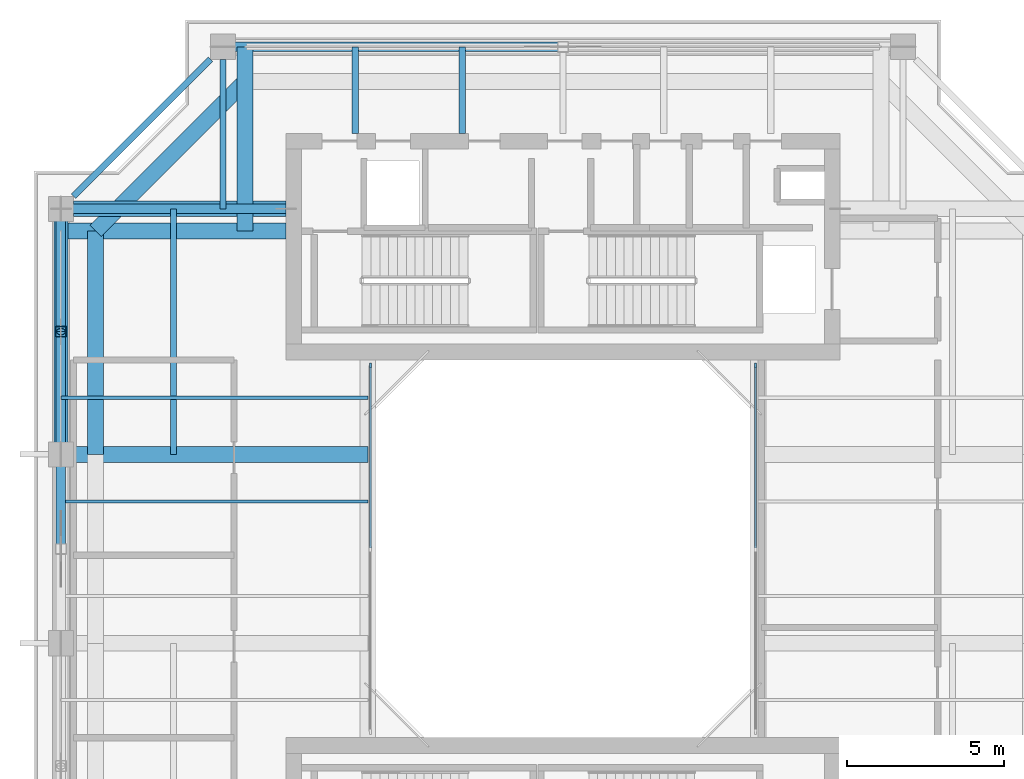
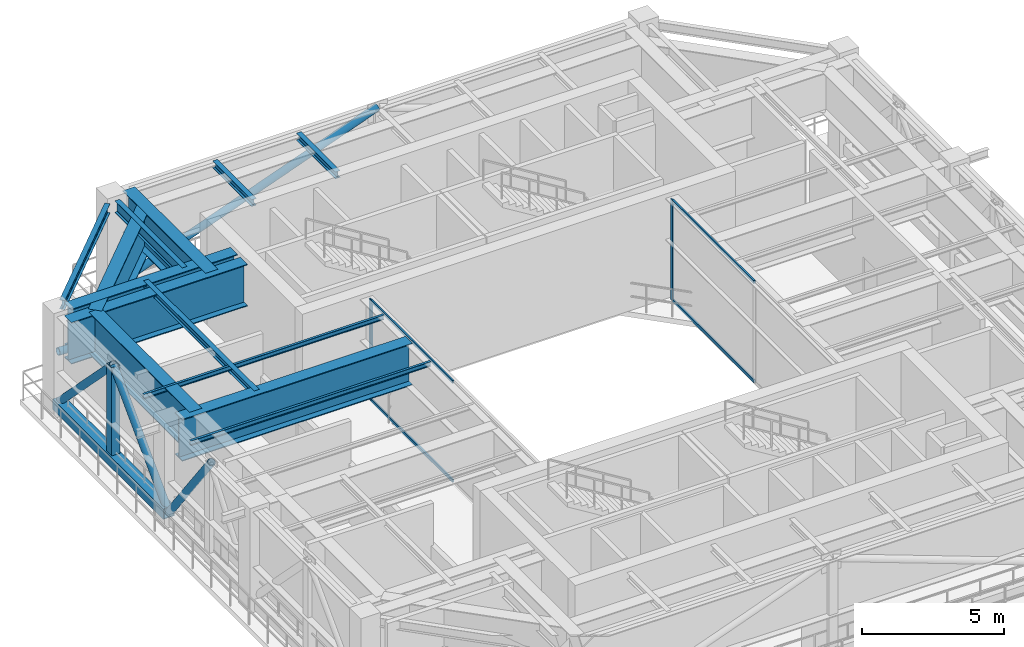
# One storey, part 3 of 10: 13 beams, 13 members, 2 elements without a shape of their own.
"""IFC4 building model written with IfcOpenShell, lengths in metres."""

import ifcopenshell
import ifcopenshell.guid

model = None  # the IFC model being written
_history = None  # IfcOwnerHistory: only IFC2X3 demands one
_inside = {}  # id of a spatial element -> (the spatial element, [elements in it])
_under = {}  # id of a project, library or spatial element -> (it, [spatial elements below it])
_declared = {}  # id of a project -> (the project, [libraries it declares])
_typed = {}  # id of a type object -> (the type object, [elements of that type])
_made_of = {}  # id of a material, layer set ... -> (it, [elements and type objects made of it])


def new_model(schema):
    """Start an empty IFC model of exactly this schema.

    Asked for "IFC4X3", IfcOpenShell would pick the latest addendum, in which some entities
    have other attributes; the version numbers below select the first issue.
    IFC2X3 requires an IfcOwnerHistory on every rooted entity: one is made here for all.
    """
    global model, _history
    if schema == "IFC4X3":
        model = ifcopenshell.file(schema_version=(4, 3, 0, 0))
    else:
        model = ifcopenshell.file(schema=schema)
    _inside.clear()
    _under.clear()
    _declared.clear()
    _typed.clear()
    _made_of.clear()
    _history = None
    if model.schema == "IFC2X3":
        org = make("IfcOrganization", Name="unknown")
        user = make(
            "IfcPersonAndOrganization",
            ThePerson=make("IfcPerson", FamilyName="unknown"),
            TheOrganization=org,
        )
        app = make(
            "IfcApplication",
            ApplicationDeveloper=org,
            Version="unknown",
            ApplicationFullName="unknown",
            ApplicationIdentifier="unknown",
        )
        _history = make(
            "IfcOwnerHistory",
            OwningUser=user,
            OwningApplication=app,
            ChangeAction="ADDED",
            CreationDate=0,
        )
    return model


def make(cls, **values):
    """One entity of the class cls with the attributes given. An attribute that is None is left unset."""
    return model.create_entity(
        cls, **{name: value for name, value in values.items() if value is not None}
    )


def rooted(cls, **values):
    """An entity with a GlobalId (a new one), such as an element, a storey or a relation."""
    return make(cls, GlobalId=ifcopenshell.guid.new(), OwnerHistory=_history, **values)


def si_unit(unit_type, name, prefix=None):
    """IfcSIUnit, for example si_unit("LENGTHUNIT", "METRE", prefix="MILLI")."""
    return make("IfcSIUnit", UnitType=unit_type, Prefix=prefix, Name=name)


def assignment(units):
    """IfcUnitAssignment: the units of a project."""
    return None if units is None else make("IfcUnitAssignment", Units=units)


def point(xyz):
    """IfcCartesianPoint."""
    return None if xyz is None else make("IfcCartesianPoint", Coordinates=xyz)


def direction(xyz):
    """IfcDirection."""
    return None if xyz is None else make("IfcDirection", DirectionRatios=xyz)


def frame(location, z_axis=None, x_axis=None):
    """IfcAxis2Placement3D, a coordinate frame: its origin and axes. An axis left out is left unset."""
    return make(
        "IfcAxis2Placement3D",
        Location=point(location),
        Axis=direction(z_axis),
        RefDirection=direction(x_axis),
    )


def frame_2d(location, x_axis=None):
    """IfcAxis2Placement2D, a coordinate frame in the plane: its origin and x axis."""
    return make(
        "IfcAxis2Placement2D", Location=point(location), RefDirection=direction(x_axis)
    )


def origin():
    """The frame at (0, 0, 0) with its axes left unset."""
    return frame((0.0, 0.0, 0.0))


def origin_2d():
    """The frame at (0, 0) in the plane with its x axis left unset."""
    return frame_2d((0.0, 0.0))


def place(relative_to, where):
    """IfcLocalPlacement: puts the frame where relative to a parent placement (None: the world)."""
    return make(
        "IfcLocalPlacement", PlacementRelTo=relative_to, RelativePlacement=where
    )


def context(
    kind, dimensions, precision=None, world=None, true_north=None, identifier=None
):
    """IfcGeometricRepresentationContext, for example the 3D "Model" context."""
    return make(
        "IfcGeometricRepresentationContext",
        ContextIdentifier=identifier,
        ContextType=kind,
        CoordinateSpaceDimension=dimensions,
        Precision=precision,
        WorldCoordinateSystem=world,
        TrueNorth=true_north,
    )


def subcontext(parent, identifier, kind, view, scale=None):
    """IfcGeometricRepresentationSubContext, for example "Body" below "Model"."""
    return make(
        "IfcGeometricRepresentationSubContext",
        ContextIdentifier=identifier,
        ContextType=kind,
        ParentContext=parent,
        TargetScale=scale,
        TargetView=view,
    )


def project(units=None, contexts=None):
    """IfcProject with its units and contexts."""
    return rooted(
        "IfcProject",
        Name="project",
        RepresentationContexts=contexts,
        UnitsInContext=assignment(units),
    )


def spatial(cls, under=None, at=None, **own):
    """A site, building, storey or space (cls), placed at a placement, below another one or the project."""
    s = rooted(cls, ObjectPlacement=at, **own)
    if under is not None:
        _under.setdefault(under.id(), (under, []))[1].append(s)
    return s


def profile(cls, at=None, kind="AREA", **sizes):
    """A parametric profile (cls). Its sizes go by their IFC names, for example OverallWidth=200.0."""
    return make(cls, ProfileType=kind, Position=at, **sizes)


def rectangle(**sizes):
    """IfcRectangleProfileDef."""
    return profile("IfcRectangleProfileDef", **sizes)


def hollow_rectangle(**sizes):
    """IfcRectangleHollowProfileDef."""
    return profile("IfcRectangleHollowProfileDef", **sizes)


def hollow_circle(**sizes):
    """IfcCircleHollowProfileDef."""
    return profile("IfcCircleHollowProfileDef", **sizes)


def i_section(**sizes):
    """IfcIShapeProfileDef."""
    return profile("IfcIShapeProfileDef", **sizes)


def extrude(swept, where, along, depth):
    """IfcExtrudedAreaSolid: the profile swept, set in the frame where, extruded along a direction by depth."""
    return make(
        "IfcExtrudedAreaSolid",
        SweptArea=swept,
        Position=where,
        ExtrudedDirection=direction(along),
        Depth=depth,
    )


def shape(context_of_items, identifier, shape_type, items):
    """IfcShapeRepresentation: the items that make up one representation, for example the "Body"."""
    return make(
        "IfcShapeRepresentation",
        ContextOfItems=context_of_items,
        RepresentationIdentifier=identifier,
        RepresentationType=shape_type,
        Items=items,
    )


def source(mapping_origin, context_of_items, identifier, shape_type, items):
    """IfcRepresentationMap: a shape defined once, which mapped items show again and again."""
    return make(
        "IfcRepresentationMap",
        MappingOrigin=mapping_origin,
        MappedRepresentation=shape(context_of_items, identifier, shape_type, items),
    )


def transform(
    local_origin,
    x_axis=None,
    y_axis=None,
    z_axis=None,
    scale=None,
    scale2=None,
    scale3=None,
    uniform=True,
):
    """IfcCartesianTransformationOperator3D, or its non-uniform kind. x_axis, y_axis, z_axis: its Axis1, 2, 3."""
    if uniform:
        return make(
            "IfcCartesianTransformationOperator3D",
            Axis1=direction(x_axis),
            Axis2=direction(y_axis),
            LocalOrigin=point(local_origin),
            Scale=scale,
            Axis3=direction(z_axis),
        )
    return make(
        "IfcCartesianTransformationOperator3DnonUniform",
        Axis1=direction(x_axis),
        Axis2=direction(y_axis),
        LocalOrigin=point(local_origin),
        Scale=scale,
        Axis3=direction(z_axis),
        Scale2=scale2,
        Scale3=scale3,
    )


def mapped(mapping_source, mapping_target):
    """IfcMappedItem: shows the shape of a source again, moved by a transform."""
    return make(
        "IfcMappedItem", MappingSource=mapping_source, MappingTarget=mapping_target
    )


def material(Name=None, Category=None):
    """IfcMaterial."""
    return make("IfcMaterial", Name=Name, Category=Category)


def layer(
    of_material, thickness, ventilated=None, Name=None, Category=None, Priority=None
):
    """IfcMaterialLayer: one layer of a wall or slab, of a material (None: an air gap)."""
    return make(
        "IfcMaterialLayer",
        Material=of_material,
        LayerThickness=thickness,
        IsVentilated=ventilated,
        Name=Name,
        Category=Category,
        Priority=Priority,
    )


def layer_set(layers, Name=None):
    """IfcMaterialLayerSet."""
    return make("IfcMaterialLayerSet", MaterialLayers=layers, LayerSetName=Name)


def material_profile(
    of_material, cross_section, Name=None, Category=None, Priority=None
):
    """IfcMaterialProfile: a cross section and its material."""
    return make(
        "IfcMaterialProfile",
        Name=Name,
        Material=of_material,
        Profile=cross_section,
        Priority=Priority,
        Category=Category,
    )


def profile_set(profiles, Name=None, composite=None):
    """IfcMaterialProfileSet."""
    return make(
        "IfcMaterialProfileSet",
        Name=Name,
        MaterialProfiles=profiles,
        CompositeProfile=composite,
    )


def made_of(thing, what):
    """Note that an element or type object is made of a material, layer set ...; save() writes the relation."""
    if what is not None:
        _made_of.setdefault(what.id(), (what, []))[1].append(thing)
    return thing


def type_object(cls, material=None, **own):
    """A type object (cls), such as IfcWallType, which elements share."""
    return made_of(rooted(cls, **own), material)


def element(
    cls,
    number,
    at=None,
    inside=None,
    cuts=None,
    type_object=None,
    material=None,
    context=None,
    identifier="Body",
    shape_type=None,
    held_by="IfcProductDefinitionShape",
    body=None,
    shapes=None,
    **own,
):
    """One element of the class cls, such as IfcWall. Its Tag is "e" and its number.

    at: its placement. inside: the storey or other place that contains it. cuts: it is an
    opening in that element (IfcRelVoidsElement). A single representation is given by context,
    identifier, shape_type and body (its items); several are given by shapes. held_by: the class
    of the entity that holds the representations. save() writes the other relations.
    """
    e = rooted(cls, Tag="e%d" % number, ObjectPlacement=at, **own)
    if body is not None:
        shapes = [shape(context, identifier, shape_type, body)]
    if shapes is not None:
        e.Representation = make(held_by, Representations=shapes)
    if inside is not None:
        _inside.setdefault(inside.id(), (inside, []))[1].append(e)
    if cuts is not None:
        rooted(
            "IfcRelVoidsElement", RelatingBuildingElement=cuts, RelatedOpeningElement=e
        )
    if type_object is not None:
        _typed.setdefault(type_object.id(), (type_object, []))[1].append(e)
    return made_of(e, material)


def aggregate(whole, parts):
    """IfcRelAggregates: a whole, such as a stair, and the parts it consists of."""
    return rooted("IfcRelAggregates", RelatingObject=whole, RelatedObjects=parts)


def save(model, path):
    """Write the relations noted so far, then the file.

    IfcRelAggregates (storeys below a building ...), IfcRelContainedInSpatialStructure (elements
    in a storey), IfcRelDefinesByType, IfcRelAssociatesMaterial and IfcRelDeclares: one each for
    every whole, place, type object, material and project.
    """
    for whole, parts in _under.values():
        aggregate(whole, parts)
    for where, things in _inside.values():
        rooted(
            "IfcRelContainedInSpatialStructure",
            RelatedElements=things,
            RelatingStructure=where,
        )
    for kind, things in _typed.values():
        rooted("IfcRelDefinesByType", RelatedObjects=things, RelatingType=kind)
    for what, things in _made_of.values():
        rooted("IfcRelAssociatesMaterial", RelatedObjects=things, RelatingMaterial=what)
    for by, libraries in _declared.values():
        rooted("IfcRelDeclares", RelatingContext=by, RelatedDefinitions=libraries)
    model.write(path)


model = new_model("IFC4")

# Units and contexts
model_context = context("Model", 3, precision=1e-05, world=origin(), true_north=direction((0.0, 1.0)))
body_context = subcontext(model_context, "Body", "Model", "MODEL_VIEW")
ifc_project = project(units=[si_unit("LENGTHUNIT", "METRE"), si_unit("AREAUNIT", "SQUARE_METRE"), si_unit("VOLUMEUNIT", "CUBIC_METRE"), si_unit("PLANEANGLEUNIT", "RADIAN"), si_unit("MASSUNIT", "GRAM", prefix="KILO"), si_unit("THERMODYNAMICTEMPERATUREUNIT", "KELVIN"), si_unit("POWERUNIT", "WATT")], contexts=[model_context])

# Site, building, storey
site_placement = place(None, origin())
site = spatial("IfcSite", under=ifc_project, at=site_placement, CompositionType="ELEMENT")
building_placement = place(site_placement, origin())
building = spatial("IfcBuilding", under=site, at=building_placement, Name="Qiaomeng Ring Towers", CompositionType="ELEMENT")
storey_placement = place(building_placement, frame((0.0, 0.0, 232.75)))
storey = spatial("IfcBuildingStorey", under=building, at=storey_placement, Name="L68", CompositionType="ELEMENT", Elevation=232.75)

# Member
ifc_material_1 = material(Name="Steel Q390GJC", Category="steel")
ifc_material_profile_1 = material_profile(ifc_material_1, hollow_rectangle(XDim=0.35009765625, YDim=0.35009765625, WallThickness=0.02001953125, at=origin_2d()), Name="SHS 350x350x20")
ifc_profile_set_1 = profile_set([ifc_material_profile_1], Name="Steel Q390GJC")
member_type_1 = type_object("IfcMemberType", Name="STR-MB-POST-350", PredefinedType="POST", material=ifc_profile_set_1)
shared_shape_1 = source(origin(), body_context, "Body", "SweptSolid", [
    extrude(hollow_rectangle(XDim=0.35009765625, YDim=0.35009765625, WallThickness=0.02001953125, at=origin_2d()), origin(), (0.0, 0.0, 1.0), 4.0),
])
member_1_placement = place(storey_placement, frame((3.050048828125, 29.89990234375, 0.320068359375), z_axis=(0.0, 0.0, 1.0), x_axis=(1.0, 0.0, 0.0)))
element("IfcMember", 1, at=member_1_placement, inside=storey, type_object=member_type_1, Name="L68 Belt Truss Post W4-W3", PredefinedType="POST", context=body_context, shape_type="MappedRepresentation", body=[
    mapped(shared_shape_1, transform((0.0, 0.0, 0.0), x_axis=(1.0, 0.0, 0.0), y_axis=(0.0, 1.0, 0.0), z_axis=(0.0, 0.0, 1.0), scale=1.0)),
])

# Beams
ifc_material_2 = material(Name="Steel Q355B", Category="steel")
ifc_material_profile_2 = material_profile(ifc_material_2, i_section(OverallWidth=0.198974609375, OverallDepth=0.39599609375, WebThickness=0.007080078125, FlangeThickness=0.010986328125, FilletRadius=0.01611328125, at=origin_2d()), Name="HN 396x199x7x11")
ifc_profile_set_2 = profile_set([ifc_material_profile_2], Name="Steel Q355B")
beam_type_1 = type_object("IfcBeamType", Name="STR-BM-HN396", PredefinedType="SPANDREL", material=ifc_profile_set_2)
shared_shape_2 = source(origin(), body_context, "Body", "SweptSolid", [
    extrude(i_section(OverallWidth=0.198974609375, OverallDepth=0.39599609375, WebThickness=0.007080078125, FlangeThickness=0.010986328125, FilletRadius=0.01611328125, at=origin_2d()), origin(), (0.0, 0.0, 1.0), 6.154052734375),
])
beam_1_placement = place(storey_placement, frame((7.80078125, 38.55078125, 4.1220703125), z_axis=(-0.707106781187, -0.707106781187, 0.0), x_axis=(0.707106781187, -0.707106781187, 0.0)))
element("IfcBeam", 2, at=beam_1_placement, inside=storey, type_object=beam_type_1, Name="L68 beam STR-SP-L68-T1-N1-W4", PredefinedType="SPANDREL", context=body_context, shape_type="MappedRepresentation", body=[
    mapped(shared_shape_2, transform((0.0, 0.0, 0.0), x_axis=(1.0, 0.0, 0.0), y_axis=(0.0, 1.0, 0.0), z_axis=(0.0, 0.0, 1.0), scale=1.0)),
])
ifc_material_profile_3 = material_profile(ifc_material_2, i_section(OverallWidth=0.199951171875, OverallDepth=0.2939453125, WebThickness=0.008056640625, FlangeThickness=0.011962890625, FilletRadius=0.01806640625, at=origin_2d()), Name="HM 294x200x8x12")
ifc_profile_set_3 = profile_set([ifc_material_profile_3], Name="Steel Q355B")
beam_type_2 = type_object("IfcBeamType", Name="STR-BM-HM294", PredefinedType="JOIST", material=ifc_profile_set_3)
shared_shape_3 = source(origin(), body_context, "Body", "SweptSolid", [
    extrude(i_section(OverallWidth=0.199951171875, OverallDepth=0.2939453125, WebThickness=0.008056640625, FlangeThickness=0.011962890625, FilletRadius=0.01806640625, at=origin_2d()), origin(), (0.0, 0.0, 1.0), 2.75),
])
for number, where, z_axis, x_axis, name in (
    (3, (12.39990234375, 36.199951171875, 4.173095703125), (0.0, 1.0, 0.0), (-1.0, 0.0, 0.0), "L68 beam STR-JST-L68-T1N-1"),
    (4, (15.800048828125, 36.199951171875, 4.173095703125), (0.0, 1.0, 0.0), (-1.0, 0.0, 0.0), "L68 beam STR-JST-L68-T1N-2"),
):
    element("IfcBeam", number, at=place(storey_placement, frame(where, z_axis=z_axis, x_axis=x_axis)), inside=storey, type_object=beam_type_2, Name=name, PredefinedType="JOIST", context=body_context, shape_type="MappedRepresentation", body=[
        mapped(shared_shape_3, transform((0.0, 0.0, 0.0), x_axis=(1.0, 0.0, 0.0), y_axis=(0.0, 1.0, 0.0), z_axis=(0.0, 0.0, 1.0), scale=1.0)),
    ])
ifc_material_profile_4 = material_profile(ifc_material_2, i_section(OverallWidth=0.10009765625, OverallDepth=0.199951171875, WebThickness=0.005615234375, FlangeThickness=0.008056640625, FilletRadius=0.010986328125, at=origin_2d()), Name="HN 200x100x5.5x8")
ifc_profile_set_4 = profile_set([ifc_material_profile_4], Name="Steel Q355B")
beam_type_3 = type_object("IfcBeamType", Name="STR-BM-HN200", PredefinedType="JOIST", material=ifc_profile_set_4)
shared_shape_4 = source(origin(), body_context, "Body", "SweptSolid", [
    extrude(i_section(OverallWidth=0.10009765625, OverallDepth=0.199951171875, WebThickness=0.005615234375, FlangeThickness=0.008056640625, FilletRadius=0.010986328125, at=origin_2d()), origin(), (0.0, 0.0, 1.0), 9.75),
])
for number, where, z_axis, x_axis, name in (
    (5, (3.050048828125, 24.5, 4.219970703125), (1.0, 0.0, 0.0), (0.0, 1.0, 0.0), "L68 beam STR-JST-L68-T1W-3"),
    (6, (3.050048828125, 27.800048828125, 4.219970703125), (1.0, 0.0, 0.0), (0.0, 1.0, 0.0), "L68 beam STR-JST-L68-T1W-4"),
):
    element("IfcBeam", number, at=place(storey_placement, frame(where, z_axis=z_axis, x_axis=x_axis)), inside=storey, type_object=beam_type_3, Name=name, PredefinedType="JOIST", context=body_context, shape_type="MappedRepresentation", body=[
        mapped(shared_shape_4, transform((0.0, 0.0, 0.0), x_axis=(1.0, 0.0, 0.0), y_axis=(0.0, 1.0, 0.0), z_axis=(0.0, 0.0, 1.0), scale=1.0)),
    ])
shared_shape_5 = source(origin(), body_context, "Body", "SweptSolid", [
    extrude(i_section(OverallWidth=0.199951171875, OverallDepth=0.2939453125, WebThickness=0.008056640625, FlangeThickness=0.011962890625, FilletRadius=0.01806640625, at=origin_2d()), origin(), (0.0, 0.0, 1.0), 7.800048828125),
])
beam_2_placement = place(storey_placement, frame((6.625, 26.0, 4.173095703125), z_axis=(0.0, 1.0, 0.0), x_axis=(-1.0, 0.0, 0.0)))
element("IfcBeam", 7, at=beam_2_placement, inside=storey, type_object=beam_type_2, Name="L68 beam STR-JST-L68-T1C-WN", PredefinedType="JOIST", context=body_context, shape_type="MappedRepresentation", body=[
    mapped(shared_shape_5, transform((0.0, 0.0, 0.0), x_axis=(1.0, 0.0, 0.0), y_axis=(0.0, 1.0, 0.0), z_axis=(0.0, 0.0, 1.0), scale=1.0)),
])
ifc_material_profile_5 = material_profile(ifc_material_2, i_section(OverallWidth=0.198974609375, OverallDepth=0.49609375, WebThickness=0.009033203125, FlangeThickness=0.013916015625, FilletRadius=0.01806640625, at=origin_2d()), Name="HN 496x199x9x14")
ifc_profile_set_5 = profile_set([ifc_material_profile_5], Name="Steel Q355B")
beam_type_4 = type_object("IfcBeamType", Name="STR-BM-HN496", PredefinedType="BEAM", material=ifc_profile_set_5)
shared_shape_6 = source(origin(), body_context, "Body", "SweptSolid", [
    extrude(i_section(OverallWidth=0.198974609375, OverallDepth=0.49609375, WebThickness=0.009033203125, FlangeThickness=0.013916015625, FilletRadius=0.01806640625, at=origin_2d()), origin(), (0.0, 0.0, 1.0), 4.7509765625),
])
beam_3_placement = place(storey_placement, frame((8.199951171875, 38.551025390625, 4.072021484375), z_axis=(0.0, -1.0, 0.0), x_axis=(1.0, 0.0, 0.0)))
element("IfcBeam", 8, at=beam_3_placement, inside=storey, type_object=beam_type_4, Name="L68 beam STR-BM-L68-T1-RAD-N1", PredefinedType="BEAM", context=body_context, shape_type="MappedRepresentation", body=[
    mapped(shared_shape_6, transform((0.0, 0.0, 0.0), x_axis=(1.0, 0.0, 0.0), y_axis=(0.0, 1.0, 0.0), z_axis=(0.0, 0.0, 1.0), scale=1.0)),
])
ifc_material_profile_6 = material_profile(ifc_material_1, i_section(OverallWidth=0.5, OverallDepth=1.800048828125, WebThickness=0.02392578125, FlangeThickness=0.035888671875, at=origin_2d()), Name="WH 1800x500x24x36")
ifc_profile_set_6 = profile_set([ifc_material_profile_6], Name="Steel Q390GJC")
beam_type_5 = type_object("IfcBeamType", Name="STR-TG-WH1800", PredefinedType="USERDEFINED", material=ifc_profile_set_6)
shared_shape_7 = source(origin(), body_context, "Body", "SweptSolid", [
    extrude(i_section(OverallWidth=0.5, OverallDepth=1.800048828125, WebThickness=0.02392578125, FlangeThickness=0.035888671875, at=origin_2d()), origin(), (0.0, 0.0, 1.0), 6.7509765625),
])
beam_4_placement = place(storey_placement, frame((3.448974609375, 33.800048828125, 3.419921875), z_axis=(1.0, 0.0, 0.0), x_axis=(0.0, 1.0, 0.0)))
element("IfcBeam", 9, at=beam_4_placement, inside=storey, type_object=beam_type_5, Name="L68 Transfer Girder STR-TG2-L68-W4-CUR", ObjectType="TRANSFER GIRDER", PredefinedType="USERDEFINED", context=body_context, shape_type="MappedRepresentation", body=[
    mapped(shared_shape_7, transform((0.0, 0.0, 0.0), x_axis=(1.0, 0.0, 0.0), y_axis=(0.0, 1.0, 0.0), z_axis=(0.0, 0.0, 1.0), scale=1.0)),
])
shared_shape_8 = source(origin(), body_context, "Body", "SweptSolid", [
    extrude(i_section(OverallWidth=0.5, OverallDepth=1.800048828125, WebThickness=0.02392578125, FlangeThickness=0.035888671875, at=origin_2d()), origin(), (0.0, 0.0, 1.0), 7.14990234375),
])
beam_5_placement = place(storey_placement, frame((3.050048828125, 33.10009765625, 3.419921875), z_axis=(1.0, 0.0, 0.0), x_axis=(0.0, 1.0, 0.0)))
element("IfcBeam", 10, at=beam_5_placement, inside=storey, type_object=beam_type_5, Name="L68 Transfer Girder STR-TG2-L68-W4-NXT", ObjectType="TRANSFER GIRDER", PredefinedType="USERDEFINED", context=body_context, shape_type="MappedRepresentation", body=[
    mapped(shared_shape_8, transform((0.0, 0.0, 0.0), x_axis=(1.0, 0.0, 0.0), y_axis=(0.0, 1.0, 0.0), z_axis=(0.0, 0.0, 1.0), scale=1.0)),
])
shared_shape_9 = source(origin(), body_context, "Body", "SweptSolid", [
    extrude(i_section(OverallWidth=0.5, OverallDepth=1.800048828125, WebThickness=0.02392578125, FlangeThickness=0.035888671875, at=origin_2d()), origin(), (0.0, 0.0, 1.0), 9.35107421875),
])
beam_6_placement = place(storey_placement, frame((3.448974609375, 26.0, 3.419921875), z_axis=(1.0, 0.0, 0.0), x_axis=(0.0, 1.0, 0.0)))
element("IfcBeam", 11, at=beam_6_placement, inside=storey, type_object=beam_type_5, Name="L68 Transfer Girder STR-TG2-L68-W3", ObjectType="TRANSFER GIRDER", PredefinedType="USERDEFINED", context=body_context, shape_type="MappedRepresentation", body=[
    mapped(shared_shape_9, transform((0.0, 0.0, 0.0), x_axis=(1.0, 0.0, 0.0), y_axis=(0.0, 1.0, 0.0), z_axis=(0.0, 0.0, 1.0), scale=1.0)),
])
shared_shape_10 = source(origin(), body_context, "Body", "SweptSolid", [
    extrude(i_section(OverallWidth=0.5, OverallDepth=1.800048828125, WebThickness=0.02392578125, FlangeThickness=0.035888671875, at=origin_2d()), origin(), (0.0, 0.0, 1.0), 5.849853515625),
])
beam_7_placement = place(storey_placement, frame((8.89990234375, 38.949951171875, 3.419921875), z_axis=(0.0, -1.0, 0.0), x_axis=(1.0, 0.0, 0.0)))
element("IfcBeam", 12, at=beam_7_placement, inside=storey, type_object=beam_type_5, Name="L68 Transfer Girder STR-TG2-L68-N1", ObjectType="TRANSFER GIRDER", PredefinedType="USERDEFINED", context=body_context, shape_type="MappedRepresentation", body=[
    mapped(shared_shape_10, transform((0.0, 0.0, 0.0), x_axis=(1.0, 0.0, 0.0), y_axis=(0.0, 1.0, 0.0), z_axis=(0.0, 0.0, 1.0), scale=1.0)),
])
shared_shape_11 = source(origin(), body_context, "Body", "SweptSolid", [
    extrude(i_section(OverallWidth=0.5, OverallDepth=1.800048828125, WebThickness=0.02392578125, FlangeThickness=0.035888671875, at=origin_2d()), origin(), (0.0, 0.0, 1.0), 6.717529296875),
])
beam_8_placement = place(storey_placement, frame((8.89990234375, 37.85009765625, 3.419921875), z_axis=(-0.707106781187, -0.707106781187, 0.0), x_axis=(0.707106781187, -0.707106781187, 0.0)))
element("IfcBeam", 13, at=beam_8_placement, inside=storey, type_object=beam_type_5, Name="L68 Transfer Girder STR-TG3-L68-N1-W4", ObjectType="TRANSFER GIRDER", PredefinedType="USERDEFINED", context=body_context, shape_type="MappedRepresentation", body=[
    mapped(shared_shape_11, transform((0.0, 0.0, 0.0), x_axis=(1.0, 0.0, 0.0), y_axis=(0.0, 1.0, 0.0), z_axis=(0.0, 0.0, 1.0), scale=1.0)),
])
shared_shape_12 = source(origin(), body_context, "Body", "SweptSolid", [
    extrude(i_section(OverallWidth=0.5, OverallDepth=1.800048828125, WebThickness=0.02392578125, FlangeThickness=0.035888671875, at=origin_2d()), origin(), (0.0, 0.0, 1.0), 7.10009765625),
])
beam_9_placement = place(storey_placement, frame((4.14990234375, 33.10009765625, 3.419921875), z_axis=(0.0, -1.0, 0.0), x_axis=(1.0, 0.0, 0.0)))
element("IfcBeam", 14, at=beam_9_placement, inside=storey, type_object=beam_type_5, Name="L68 Transfer Girder STR-TG3-L68-W4-W3", ObjectType="TRANSFER GIRDER", PredefinedType="USERDEFINED", context=body_context, shape_type="MappedRepresentation", body=[
    mapped(shared_shape_12, transform((0.0, 0.0, 0.0), x_axis=(1.0, 0.0, 0.0), y_axis=(0.0, 1.0, 0.0), z_axis=(0.0, 0.0, 1.0), scale=1.0)),
])

# Members
ifc_material_profile_7 = material_profile(ifc_material_1, hollow_circle(Radius=0.1494140625, WallThickness=0.01611328125, at=origin_2d()), Name="CHS 299x16")
ifc_profile_set_7 = profile_set([ifc_material_profile_7], Name="Steel Q390GJC")
member_type_2 = type_object("IfcMemberType", Name="STR-MB-BR-299", PredefinedType="BRACE", material=ifc_profile_set_7)
shared_shape_13 = source(origin(), body_context, "Body", "SweptSolid", [
    extrude(hollow_circle(Radius=0.1494140625, WallThickness=0.01611328125, at=origin_2d()), origin(), (0.0, 0.0, 1.0), 11.510009765625),
])
member_2_placement = place(storey_placement, frame((8.199951171875, 38.949951171875, 0.320068359375), z_axis=(0.938314504514, 0.0, 0.345783010887), x_axis=(0.0, 1.0, 0.0)))
element("IfcMember", 15, at=member_2_placement, inside=storey, type_object=member_type_2, Name="L68 Belt Truss Diagonal N1-M", PredefinedType="BRACE", context=body_context, shape_type="MappedRepresentation", body=[
    mapped(shared_shape_13, transform((0.0, 0.0, 0.0), x_axis=(1.0, 0.0, 0.0), y_axis=(0.0, 1.0, 0.0), z_axis=(0.0, 0.0, 1.0), scale=1.0)),
])
ifc_material_profile_8 = material_profile(ifc_material_1, hollow_rectangle(XDim=0.449951171875, YDim=0.449951171875, WallThickness=0.028076171875, at=origin_2d()), Name="SHS 450x450x28")
ifc_profile_set_8 = profile_set([ifc_material_profile_8], Name="Steel Q390GJC")
member_type_3 = type_object("IfcMemberType", Name="STR-MB-CHORD-450", PredefinedType="CHORD", material=ifc_profile_set_8)
shared_shape_14 = source(origin(), body_context, "Body", "SweptSolid", [
    extrude(hollow_rectangle(XDim=0.449951171875, YDim=0.449951171875, WallThickness=0.028076171875, at=origin_2d()), origin(), (0.0, 0.0, 1.0), 7.800048828125),
])
member_3_placement = place(storey_placement, frame((3.050048828125, 33.800048828125, 0.320068359375), z_axis=(0.0, -1.0, 0.0), x_axis=(1.0, 0.0, 0.0)))
element("IfcMember", 16, at=member_3_placement, inside=storey, type_object=member_type_3, Name="L68 Belt Truss Bottom Chord W4-W3", PredefinedType="CHORD", context=body_context, shape_type="MappedRepresentation", body=[
    mapped(shared_shape_14, transform((0.0, 0.0, 0.0), x_axis=(1.0, 0.0, 0.0), y_axis=(0.0, 1.0, 0.0), z_axis=(0.0, 0.0, 1.0), scale=1.0)),
])
shared_shape_15 = source(origin(), body_context, "Body", "SweptSolid", [
    extrude(hollow_circle(Radius=0.1494140625, WallThickness=0.01611328125, at=origin_2d()), origin(), (0.0, 0.0, 1.0), 5.572265625),
])
for number, where, z_axis, x_axis, name in (
    (17, (3.050048828125, 33.800048828125, 0.320068359375), (0.0, -0.699907127164, 0.714233864603), (1.0, 0.0, 0.0), "L68 Belt Truss Diagonal W4-M"),
    (18, (3.050048828125, 26.0, 0.320068359375), (0.0, 0.699884775987, 0.714255766754), (-1.0, 0.0, 0.0), "L68 Belt Truss Diagonal W3-M"),
):
    element("IfcMember", number, at=place(storey_placement, frame(where, z_axis=z_axis, x_axis=x_axis)), inside=storey, type_object=member_type_2, Name=name, PredefinedType="BRACE", context=body_context, shape_type="MappedRepresentation", body=[
        mapped(shared_shape_15, transform((0.0, 0.0, 0.0), x_axis=(1.0, 0.0, 0.0), y_axis=(0.0, 1.0, 0.0), z_axis=(0.0, 0.0, 1.0), scale=1.0)),
    ])
shared_shape_16 = source(origin(), body_context, "Body", "SweptSolid", [
    extrude(hollow_circle(Radius=0.1494140625, WallThickness=0.01611328125, at=origin_2d()), origin(), (0.0, 0.0, 1.0), 4.98388671875),
])
member_4_placement = place(storey_placement, frame((3.050048828125, 26.0, 0.320068359375), z_axis=(0.0, -0.601926302674, 0.798551642757), x_axis=(1.0, 0.0, 0.0)))
element("IfcMember", 19, at=member_4_placement, inside=storey, type_object=member_type_2, Name="L68 Belt Truss Diagonal W3-M", PredefinedType="BRACE", context=body_context, shape_type="MappedRepresentation", body=[
    mapped(shared_shape_16, transform((0.0, 0.0, 0.0), x_axis=(1.0, 0.0, 0.0), y_axis=(0.0, 1.0, 0.0), z_axis=(0.0, 0.0, 1.0), scale=1.0)),
])
shared_shape_17 = source(origin(), body_context, "Body", "SweptSolid", [
    extrude(hollow_circle(Radius=0.1494140625, WallThickness=0.01611328125, at=origin_2d()), origin(), (0.0, 0.0, 1.0), 7.158447265625),
])
member_5_placement = place(storey_placement, frame((10.199951171875, 33.800048828125, 2.14990234375), z_axis=(-0.998803347378, 0.0, 0.048906781402), x_axis=(0.0, -1.0, 0.0)))
element("IfcMember", 20, at=member_5_placement, inside=storey, type_object=member_type_2, Name="L68 Core Outrigger Truss Diagonal W4", PredefinedType="BRACE", context=body_context, shape_type="MappedRepresentation", body=[
    mapped(shared_shape_17, transform((0.0, 0.0, 0.0), x_axis=(1.0, 0.0, 0.0), y_axis=(0.0, 1.0, 0.0), z_axis=(0.0, 0.0, 1.0), scale=1.0)),
])

# Curtain wall, members
ifc_material_3 = material(Name="Fluorocarbon dark-grey aluminium", Category="aluminium")
ifc_layer = layer(ifc_material_3, 0.139892578125, Name="Fluorocarbon dark-grey aluminium")
ifc_layer_set = layer_set([ifc_layer], Name="Fluorocarbon dark-grey aluminium")
curtain_wall_type = type_object("IfcCurtainWallType", Name="ARC-CW-4", PredefinedType="NOTDEFINED", material=ifc_layer_set)
curtain_wall_1_placement = place(storey_placement, origin())
curtain_wall_1 = element("IfcCurtainWall", 21, at=curtain_wall_1_placement, inside=storey, type_object=curtain_wall_type, Name="L68 Curtain Wall CW4", PredefinedType="NOTDEFINED")
ifc_material_profile_9 = material_profile(ifc_material_3, rectangle(XDim=0.06494140625, YDim=0.1298828125, at=origin_2d()), Name="ALU TRAN 65x130")
ifc_profile_set_9 = profile_set([ifc_material_profile_9], Name="Fluorocarbon dark-grey aluminium")
member_type_4 = type_object("IfcMemberType", Name="ARC-CWT-120", PredefinedType="USERDEFINED", material=ifc_profile_set_9)
shared_shape_18 = source(origin(), body_context, "Body", "SweptSolid", [
    extrude(rectangle(XDim=0.06494140625, YDim=0.1298828125, at=origin_2d()), origin(), (0.0, 0.0, 1.0), 5.75244140625),
])
member_6_placement = place(storey_placement, frame((12.8798828125, 23.032470703125, 0.032470703125), z_axis=(0.0, 1.0, 0.0), x_axis=(-1.0, 0.0, 0.0)))
member_6 = element("IfcMember", 22, at=member_6_placement, type_object=member_type_4, Name="CW4 transom 2.1", ObjectType="TRANSOM", PredefinedType="USERDEFINED", context=body_context, shape_type="MappedRepresentation", body=[
    mapped(shared_shape_18, transform((0.0, 0.0, 0.0), x_axis=(1.0, 0.0, 0.0), y_axis=(0.0, 1.0, 0.0), z_axis=(0.0, 0.0, 1.0), scale=1.0)),
])
member_7_placement = place(storey_placement, frame((12.8798828125, 23.032470703125, 4.28759765625), z_axis=(0.0, 1.0, 0.0), x_axis=(-1.0, 0.0, 0.0)))
member_7 = element("IfcMember", 23, at=member_7_placement, type_object=member_type_4, Name="CW4 transom 2.2", ObjectType="TRANSOM", PredefinedType="USERDEFINED", context=body_context, shape_type="MappedRepresentation", body=[
    mapped(shared_shape_18, transform((0.0, 0.0, 0.0), x_axis=(1.0, 0.0, 0.0), y_axis=(0.0, 1.0, 0.0), z_axis=(0.0, 0.0, 1.0), scale=1.0)),
])

curtain_wall_2_placement = place(storey_placement, origin())
curtain_wall_2 = element("IfcCurtainWall", 24, at=curtain_wall_2_placement, inside=storey, type_object=curtain_wall_type, Name="L68 Curtain Wall CW4", PredefinedType="NOTDEFINED")
member_8_placement = place(storey_placement, frame((25.1201171875, 23.032470703125, 0.032470703125), z_axis=(0.0, 1.0, 0.0), x_axis=(-1.0, 0.0, 0.0)))
member_8 = element("IfcMember", 25, at=member_8_placement, type_object=member_type_4, Name="CW4 transom 2.1", ObjectType="TRANSOM", PredefinedType="USERDEFINED", context=body_context, shape_type="MappedRepresentation", body=[
    mapped(shared_shape_18, transform((0.0, 0.0, 0.0), x_axis=(1.0, 0.0, 0.0), y_axis=(0.0, 1.0, 0.0), z_axis=(0.0, 0.0, 1.0), scale=1.0)),
])
member_9_placement = place(storey_placement, frame((25.1201171875, 23.032470703125, 4.28759765625), z_axis=(0.0, 1.0, 0.0), x_axis=(-1.0, 0.0, 0.0)))
member_9 = element("IfcMember", 26, at=member_9_placement, type_object=member_type_4, Name="CW4 transom 2.2", ObjectType="TRANSOM", PredefinedType="USERDEFINED", context=body_context, shape_type="MappedRepresentation", body=[
    mapped(shared_shape_18, transform((0.0, 0.0, 0.0), x_axis=(1.0, 0.0, 0.0), y_axis=(0.0, 1.0, 0.0), z_axis=(0.0, 0.0, 1.0), scale=1.0)),
])

# Member
ifc_material_profile_10 = material_profile(ifc_material_3, rectangle(XDim=0.06494140625, YDim=0.159912109375, at=origin_2d()), Name="ALU MULL 65x160")
ifc_profile_set_10 = profile_set([ifc_material_profile_10], Name="Fluorocarbon dark-grey aluminium")
member_type_5 = type_object("IfcMemberType", Name="ARC-CWM-140", PredefinedType="MULLION", material=ifc_profile_set_10)
shared_shape_19 = source(origin(), body_context, "Body", "SweptSolid", [
    extrude(rectangle(XDim=0.06494140625, YDim=0.159912109375, at=origin_2d()), origin(), (0.0, 0.0, 1.0), 4.320068359375),
])
member_10_placement = place(storey_placement, frame((12.8798828125, 28.8173828125, 0.0), z_axis=(0.0, 0.0, 1.0), x_axis=(-1.0, 0.0, 0.0)))
member_10 = element("IfcMember", 27, at=member_10_placement, type_object=member_type_5, Name="CW4 mullion 3", PredefinedType="MULLION", context=body_context, shape_type="MappedRepresentation", body=[
    mapped(shared_shape_19, transform((0.0, 0.0, 0.0), x_axis=(1.0, 0.0, 0.0), y_axis=(0.0, 1.0, 0.0), z_axis=(0.0, 0.0, 1.0), scale=1.0)),
])

aggregate(curtain_wall_1, [member_10, member_6, member_7])

member_11_placement = place(storey_placement, frame((25.1201171875, 28.8173828125, 0.0), z_axis=(0.0, 0.0, 1.0), x_axis=(-1.0, 0.0, 0.0)))
member_11 = element("IfcMember", 28, at=member_11_placement, type_object=member_type_5, Name="CW4 mullion 3", PredefinedType="MULLION", context=body_context, shape_type="MappedRepresentation", body=[
    mapped(shared_shape_19, transform((0.0, 0.0, 0.0), x_axis=(1.0, 0.0, 0.0), y_axis=(0.0, 1.0, 0.0), z_axis=(0.0, 0.0, 1.0), scale=1.0)),
])

aggregate(curtain_wall_2, [member_11, member_8, member_9])

save(model, "model.ifc")
